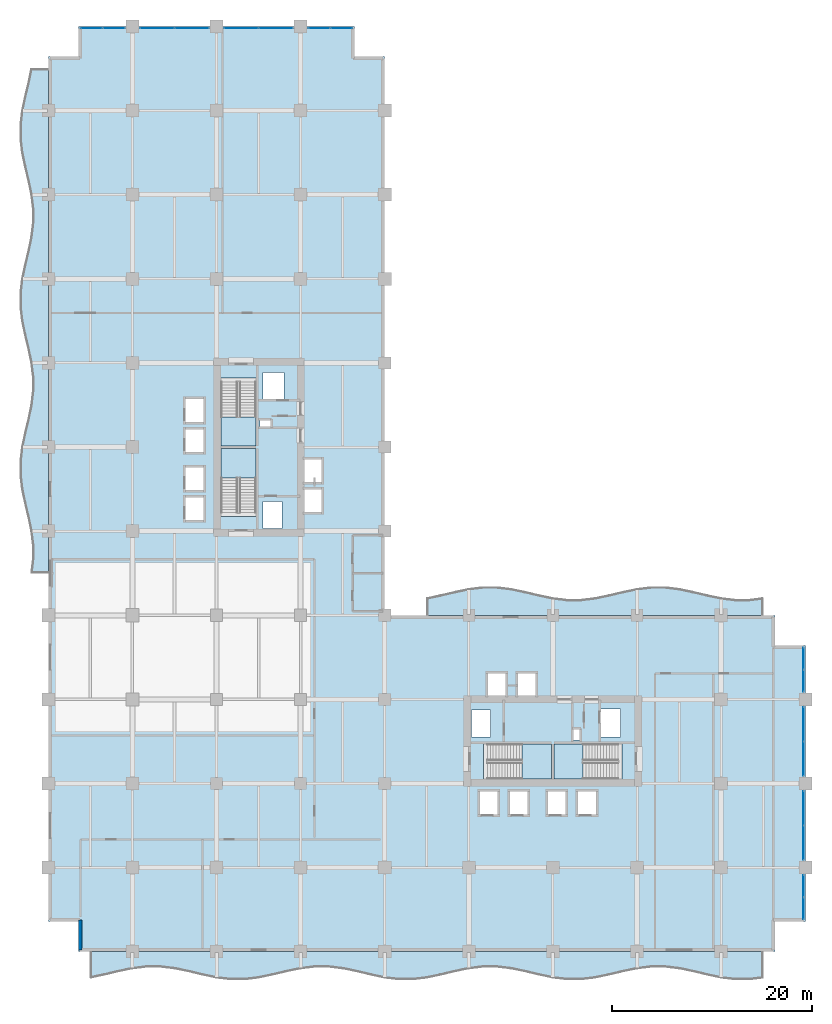
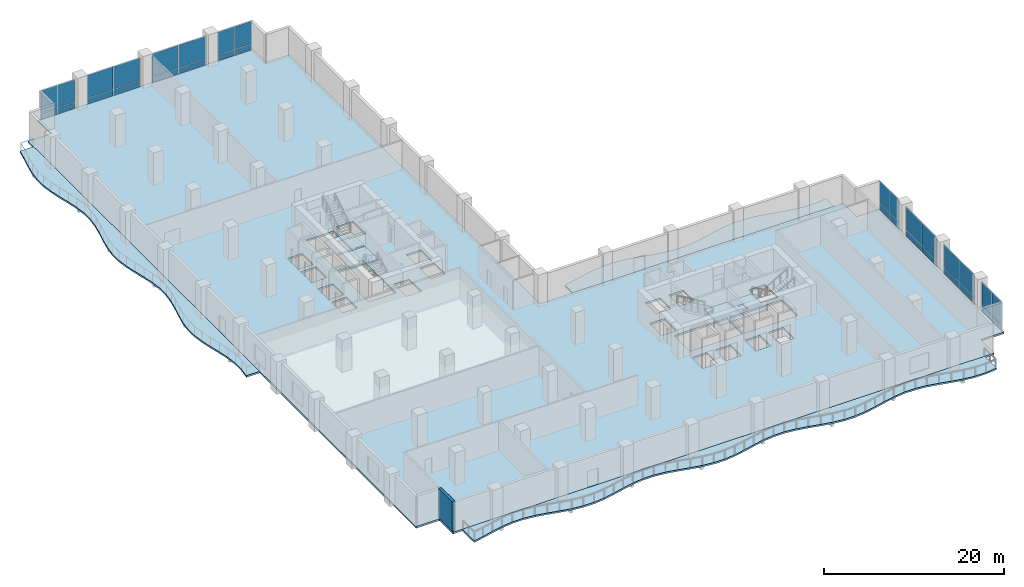
# One storey, part 11 of 24: 32 plates, 8 slabs, 1 wall, 12 elements without a shape of their own.
"""IFC4 building model written with IfcOpenShell, lengths in metres."""

from ifc_helpers import new_model, si_unit, direction, frame, frame_2d, origin, origin_2d, place, context, subcontext, project, spatial, polyline, rectangle, outline, extrude, material, layer, layer_set, type_object, element, aggregate, save


model = new_model("IFC4")

# Units and contexts
model_context = context("Model", 3, precision=1e-05, world=origin(), true_north=direction((0.0, 1.0)))
body_context = subcontext(model_context, "Body", "Model", "MODEL_VIEW")
ifc_project = project(units=[si_unit("LENGTHUNIT", "METRE"), si_unit("AREAUNIT", "SQUARE_METRE"), si_unit("VOLUMEUNIT", "CUBIC_METRE"), si_unit("PLANEANGLEUNIT", "RADIAN"), si_unit("MASSUNIT", "GRAM", prefix="KILO")], contexts=[model_context])

# Site, building, storey
site_placement = place(None, origin())
site = spatial("IfcSite", under=ifc_project, at=site_placement, CompositionType="ELEMENT")
building_placement = place(site_placement, origin())
building = spatial("IfcBuilding", under=site, at=building_placement, Name="Koriwani Terraces Tower", CompositionType="ELEMENT")
storey_placement = place(building_placement, frame((0.0, 0.0, 89.60009765625)))
storey = spatial("IfcBuildingStorey", under=building, at=storey_placement, Name="L21", CompositionType="ELEMENT", Elevation=89.60009765625)

# Curtain wall, plates
ifc_material_1 = material(Name="Anodised Bronze Aluminium", Category="aluminium")
ifc_layer_1 = layer(ifc_material_1, 0.179931640625, Name="Anodised Bronze Aluminium")
ifc_layer_set_1 = layer_set([ifc_layer_1], Name="Anodised Bronze Aluminium")
curtain_wall_type = type_object("IfcCurtainWallType", Name="CW_HOTEL_ZONE2", PredefinedType="NOTDEFINED", material=ifc_layer_set_1)
curtain_wall_1_placement = place(storey_placement, origin())
curtain_wall_1 = element("IfcCurtainWall", 1, at=curtain_wall_1_placement, inside=storey, type_object=curtain_wall_type, Name="L21 Unitised Curtain Wall (N_TIP) Bay 1", PredefinedType="NOTDEFINED")
ifc_material_2 = material(Name="Tempered Laminated Low-E Glass", Category="glass")
ifc_layer_2 = layer(ifc_material_2, 0.028076171875, Name="Tempered Laminated Low-E Glass")
ifc_layer_set_2 = layer_set([ifc_layer_2], Name="Tempered Laminated Low-E Glass")
plate_type = type_object("IfcPlateType", Name="CW_PANEL_VISION_28", PredefinedType="CURTAIN_PANEL", material=ifc_layer_set_2)
plate_1_placement = place(storey_placement, frame((4.322509765625, 92.22509765625, 0.06494140625), z_axis=(0.0, 0.0, 1.0), x_axis=(1.0, 0.0, 0.0)))
plate_1 = element("IfcPlate", 2, at=plate_1_placement, type_object=plate_type, Name="CW-Z2 panel 1.1", PredefinedType="CURTAIN_PANEL", context=body_context, shape_type="SweptSolid", body=[
    extrude(rectangle(XDim=2.14501953125, YDim=0.028076171875, at=origin_2d()), origin(), (0.0, 0.0, 1.0), 0.802490234375),
])
plate_2_placement = place(storey_placement, frame((4.322509765625, 92.22509765625, 0.9326171875), z_axis=(0.0, 0.0, 1.0), x_axis=(1.0, 0.0, 0.0)))
plate_2 = element("IfcPlate", 3, at=plate_2_placement, type_object=plate_type, Name="CW-Z2 panel 1.2", PredefinedType="CURTAIN_PANEL", context=body_context, shape_type="SweptSolid", body=[
    extrude(rectangle(XDim=2.14501953125, YDim=0.028076171875, at=origin_2d()), origin(), (0.0, 0.0, 1.0), 3.052490234375),
])
plate_3_placement = place(storey_placement, frame((6.54248046875, 92.22509765625, 0.06494140625), z_axis=(0.0, 0.0, 1.0), x_axis=(1.0, 0.0, 0.0)))
plate_3 = element("IfcPlate", 4, at=plate_3_placement, type_object=plate_type, Name="CW-Z2 panel 2.1", PredefinedType="CURTAIN_PANEL", context=body_context, shape_type="SweptSolid", body=[
    extrude(rectangle(XDim=2.14501953125, YDim=0.028076171875, at=origin_2d()), origin(), (0.0, 0.0, 1.0), 0.802490234375),
])
plate_4_placement = place(storey_placement, frame((6.54248046875, 92.22509765625, 0.9326171875), z_axis=(0.0, 0.0, 1.0), x_axis=(1.0, 0.0, 0.0)))
plate_4 = element("IfcPlate", 5, at=plate_4_placement, type_object=plate_type, Name="CW-Z2 panel 2.2", PredefinedType="CURTAIN_PANEL", context=body_context, shape_type="SweptSolid", body=[
    extrude(rectangle(XDim=2.14501953125, YDim=0.028076171875, at=origin_2d()), origin(), (0.0, 0.0, 1.0), 3.052490234375),
])
aggregate(curtain_wall_1, [plate_1, plate_2, plate_3, plate_4])

curtain_wall_2_placement = place(storey_placement, origin())
curtain_wall_2 = element("IfcCurtainWall", 6, at=curtain_wall_2_placement, inside=storey, type_object=curtain_wall_type, Name="L21 Unitised Curtain Wall (N_TIP) Bay 2", PredefinedType="NOTDEFINED")
plate_5_placement = place(storey_placement, frame((10.873779296875, 92.22509765625, 0.06494140625), z_axis=(0.0, 0.0, 1.0), x_axis=(1.0, 0.0, 0.0)))
plate_5 = element("IfcPlate", 7, at=plate_5_placement, type_object=plate_type, Name="CW-Z2 panel 1.1", PredefinedType="CURTAIN_PANEL", context=body_context, shape_type="SweptSolid", body=[
    extrude(rectangle(XDim=3.37744140625, YDim=0.028076171875, at=origin_2d()), origin(), (0.0, 0.0, 1.0), 0.802490234375),
])
plate_6_placement = place(storey_placement, frame((10.873779296875, 92.22509765625, 0.9326171875), z_axis=(0.0, 0.0, 1.0), x_axis=(1.0, 0.0, 0.0)))
plate_6 = element("IfcPlate", 8, at=plate_6_placement, type_object=plate_type, Name="CW-Z2 panel 1.2", PredefinedType="CURTAIN_PANEL", context=body_context, shape_type="SweptSolid", body=[
    extrude(rectangle(XDim=3.37744140625, YDim=0.028076171875, at=origin_2d()), origin(), (0.0, 0.0, 1.0), 3.052490234375),
])
plate_7_placement = place(storey_placement, frame((14.326171875, 92.22509765625, 0.06494140625), z_axis=(0.0, 0.0, 1.0), x_axis=(1.0, 0.0, 0.0)))
plate_7 = element("IfcPlate", 9, at=plate_7_placement, type_object=plate_type, Name="CW-Z2 panel 2.1", PredefinedType="CURTAIN_PANEL", context=body_context, shape_type="SweptSolid", body=[
    extrude(rectangle(XDim=3.37744140625, YDim=0.028076171875, at=origin_2d()), origin(), (0.0, 0.0, 1.0), 0.802490234375),
])
plate_8_placement = place(storey_placement, frame((14.326171875, 92.22509765625, 0.9326171875), z_axis=(0.0, 0.0, 1.0), x_axis=(1.0, 0.0, 0.0)))
plate_8 = element("IfcPlate", 10, at=plate_8_placement, type_object=plate_type, Name="CW-Z2 panel 2.2", PredefinedType="CURTAIN_PANEL", context=body_context, shape_type="SweptSolid", body=[
    extrude(rectangle(XDim=3.37744140625, YDim=0.028076171875, at=origin_2d()), origin(), (0.0, 0.0, 1.0), 3.052490234375),
])
aggregate(curtain_wall_2, [plate_5, plate_6, plate_7, plate_8])

curtain_wall_3_placement = place(storey_placement, origin())
curtain_wall_3 = element("IfcCurtainWall", 11, at=curtain_wall_3_placement, inside=storey, type_object=curtain_wall_type, Name="L21 Unitised Curtain Wall (N_TIP) Bay 3", PredefinedType="NOTDEFINED")
plate_9_placement = place(storey_placement, frame((19.273681640625, 92.22509765625, 0.06494140625), z_axis=(0.0, 0.0, 1.0), x_axis=(1.0, 0.0, 0.0)))
plate_9 = element("IfcPlate", 12, at=plate_9_placement, type_object=plate_type, Name="CW-Z2 panel 1.1", PredefinedType="CURTAIN_PANEL", context=body_context, shape_type="SweptSolid", body=[
    extrude(rectangle(XDim=3.37744140625, YDim=0.028076171875, at=origin_2d()), origin(), (0.0, 0.0, 1.0), 0.802490234375),
])
plate_10_placement = place(storey_placement, frame((19.273681640625, 92.22509765625, 0.9326171875), z_axis=(0.0, 0.0, 1.0), x_axis=(1.0, 0.0, 0.0)))
plate_10 = element("IfcPlate", 13, at=plate_10_placement, type_object=plate_type, Name="CW-Z2 panel 1.2", PredefinedType="CURTAIN_PANEL", context=body_context, shape_type="SweptSolid", body=[
    extrude(rectangle(XDim=3.37744140625, YDim=0.028076171875, at=origin_2d()), origin(), (0.0, 0.0, 1.0), 3.052490234375),
])
plate_11_placement = place(storey_placement, frame((22.726318359375, 92.22509765625, 0.06494140625), z_axis=(0.0, 0.0, 1.0), x_axis=(1.0, 0.0, 0.0)))
plate_11 = element("IfcPlate", 14, at=plate_11_placement, type_object=plate_type, Name="CW-Z2 panel 2.1", PredefinedType="CURTAIN_PANEL", context=body_context, shape_type="SweptSolid", body=[
    extrude(rectangle(XDim=3.37744140625, YDim=0.028076171875, at=origin_2d()), origin(), (0.0, 0.0, 1.0), 0.802490234375),
])
plate_12_placement = place(storey_placement, frame((22.726318359375, 92.22509765625, 0.9326171875), z_axis=(0.0, 0.0, 1.0), x_axis=(1.0, 0.0, 0.0)))
plate_12 = element("IfcPlate", 15, at=plate_12_placement, type_object=plate_type, Name="CW-Z2 panel 2.2", PredefinedType="CURTAIN_PANEL", context=body_context, shape_type="SweptSolid", body=[
    extrude(rectangle(XDim=3.37744140625, YDim=0.028076171875, at=origin_2d()), origin(), (0.0, 0.0, 1.0), 3.052490234375),
])
aggregate(curtain_wall_3, [plate_9, plate_10, plate_11, plate_12])

curtain_wall_4_placement = place(storey_placement, origin())
curtain_wall_4 = element("IfcCurtainWall", 16, at=curtain_wall_4_placement, inside=storey, type_object=curtain_wall_type, Name="L21 Unitised Curtain Wall (N_TIP) Bay 4", PredefinedType="NOTDEFINED")
plate_13_placement = place(storey_placement, frame((27.0576171875, 92.22509765625, 0.06494140625), z_axis=(0.0, 0.0, 1.0), x_axis=(1.0, 0.0, 0.0)))
plate_13 = element("IfcPlate", 17, at=plate_13_placement, type_object=plate_type, Name="CW-Z2 panel 1.1", PredefinedType="CURTAIN_PANEL", context=body_context, shape_type="SweptSolid", body=[
    extrude(rectangle(XDim=2.14501953125, YDim=0.028076171875, at=origin_2d()), origin(), (0.0, 0.0, 1.0), 0.802490234375),
])
plate_14_placement = place(storey_placement, frame((27.0576171875, 92.22509765625, 0.9326171875), z_axis=(0.0, 0.0, 1.0), x_axis=(1.0, 0.0, 0.0)))
plate_14 = element("IfcPlate", 18, at=plate_14_placement, type_object=plate_type, Name="CW-Z2 panel 1.2", PredefinedType="CURTAIN_PANEL", context=body_context, shape_type="SweptSolid", body=[
    extrude(rectangle(XDim=2.14501953125, YDim=0.028076171875, at=origin_2d()), origin(), (0.0, 0.0, 1.0), 3.052490234375),
])
plate_15_placement = place(storey_placement, frame((29.277587890625, 92.22509765625, 0.06494140625), z_axis=(0.0, 0.0, 1.0), x_axis=(1.0, 0.0, 0.0)))
plate_15 = element("IfcPlate", 19, at=plate_15_placement, type_object=plate_type, Name="CW-Z2 panel 2.1", PredefinedType="CURTAIN_PANEL", context=body_context, shape_type="SweptSolid", body=[
    extrude(rectangle(XDim=2.14501953125, YDim=0.028076171875, at=origin_2d()), origin(), (0.0, 0.0, 1.0), 0.802490234375),
])
plate_16_placement = place(storey_placement, frame((29.277587890625, 92.22509765625, 0.9326171875), z_axis=(0.0, 0.0, 1.0), x_axis=(1.0, 0.0, 0.0)))
plate_16 = element("IfcPlate", 20, at=plate_16_placement, type_object=plate_type, Name="CW-Z2 panel 2.2", PredefinedType="CURTAIN_PANEL", context=body_context, shape_type="SweptSolid", body=[
    extrude(rectangle(XDim=2.14501953125, YDim=0.028076171875, at=origin_2d()), origin(), (0.0, 0.0, 1.0), 3.052490234375),
])
aggregate(curtain_wall_4, [plate_13, plate_14, plate_15, plate_16])

curtain_wall_5_placement = place(storey_placement, origin())
curtain_wall_5 = element("IfcCurtainWall", 21, at=curtain_wall_5_placement, inside=storey, type_object=curtain_wall_type, Name="L21 Unitised Curtain Wall (E_TIP) Bay 1", PredefinedType="NOTDEFINED")
plate_17_placement = place(storey_placement, frame((75.425048828125, 29.277587890625, 0.06494140625), z_axis=(0.0, 0.0, 1.0), x_axis=(0.0, -1.0, 0.0)))
plate_17 = element("IfcPlate", 22, at=plate_17_placement, type_object=plate_type, Name="CW-Z2 panel 1.1", PredefinedType="CURTAIN_PANEL", context=body_context, shape_type="SweptSolid", body=[
    extrude(rectangle(XDim=2.14501953125, YDim=0.028076171875, at=origin_2d()), origin(), (0.0, 0.0, 1.0), 0.802490234375),
])
plate_18_placement = place(storey_placement, frame((75.425048828125, 29.277587890625, 0.9326171875), z_axis=(0.0, 0.0, 1.0), x_axis=(0.0, -1.0, 0.0)))
plate_18 = element("IfcPlate", 23, at=plate_18_placement, type_object=plate_type, Name="CW-Z2 panel 1.2", PredefinedType="CURTAIN_PANEL", context=body_context, shape_type="SweptSolid", body=[
    extrude(rectangle(XDim=2.14501953125, YDim=0.028076171875, at=origin_2d()), origin(), (0.0, 0.0, 1.0), 3.052490234375),
])
plate_19_placement = place(storey_placement, frame((75.425048828125, 27.0576171875, 0.06494140625), z_axis=(0.0, 0.0, 1.0), x_axis=(0.0, -1.0, 0.0)))
plate_19 = element("IfcPlate", 24, at=plate_19_placement, type_object=plate_type, Name="CW-Z2 panel 2.1", PredefinedType="CURTAIN_PANEL", context=body_context, shape_type="SweptSolid", body=[
    extrude(rectangle(XDim=2.14501953125, YDim=0.028076171875, at=origin_2d()), origin(), (0.0, 0.0, 1.0), 0.802490234375),
])
plate_20_placement = place(storey_placement, frame((75.425048828125, 27.0576171875, 0.9326171875), z_axis=(0.0, 0.0, 1.0), x_axis=(0.0, -1.0, 0.0)))
plate_20 = element("IfcPlate", 25, at=plate_20_placement, type_object=plate_type, Name="CW-Z2 panel 2.2", PredefinedType="CURTAIN_PANEL", context=body_context, shape_type="SweptSolid", body=[
    extrude(rectangle(XDim=2.14501953125, YDim=0.028076171875, at=origin_2d()), origin(), (0.0, 0.0, 1.0), 3.052490234375),
])
aggregate(curtain_wall_5, [plate_17, plate_18, plate_19, plate_20])

curtain_wall_6_placement = place(storey_placement, origin())
curtain_wall_6 = element("IfcCurtainWall", 26, at=curtain_wall_6_placement, inside=storey, type_object=curtain_wall_type, Name="L21 Unitised Curtain Wall (E_TIP) Bay 2", PredefinedType="NOTDEFINED")
plate_21_placement = place(storey_placement, frame((75.425048828125, 22.726318359375, 0.06494140625), z_axis=(0.0, 0.0, 1.0), x_axis=(0.0, -1.0, 0.0)))
plate_21 = element("IfcPlate", 27, at=plate_21_placement, type_object=plate_type, Name="CW-Z2 panel 1.1", PredefinedType="CURTAIN_PANEL", context=body_context, shape_type="SweptSolid", body=[
    extrude(rectangle(XDim=3.37744140625, YDim=0.028076171875, at=origin_2d()), origin(), (0.0, 0.0, 1.0), 0.802490234375),
])
plate_22_placement = place(storey_placement, frame((75.425048828125, 22.726318359375, 0.9326171875), z_axis=(0.0, 0.0, 1.0), x_axis=(0.0, -1.0, 0.0)))
plate_22 = element("IfcPlate", 28, at=plate_22_placement, type_object=plate_type, Name="CW-Z2 panel 1.2", PredefinedType="CURTAIN_PANEL", context=body_context, shape_type="SweptSolid", body=[
    extrude(rectangle(XDim=3.37744140625, YDim=0.028076171875, at=origin_2d()), origin(), (0.0, 0.0, 1.0), 3.052490234375),
])
plate_23_placement = place(storey_placement, frame((75.425048828125, 19.273681640625, 0.06494140625), z_axis=(0.0, 0.0, 1.0), x_axis=(0.0, -1.0, 0.0)))
plate_23 = element("IfcPlate", 29, at=plate_23_placement, type_object=plate_type, Name="CW-Z2 panel 2.1", PredefinedType="CURTAIN_PANEL", context=body_context, shape_type="SweptSolid", body=[
    extrude(rectangle(XDim=3.37744140625, YDim=0.028076171875, at=origin_2d()), origin(), (0.0, 0.0, 1.0), 0.802490234375),
])
plate_24_placement = place(storey_placement, frame((75.425048828125, 19.273681640625, 0.9326171875), z_axis=(0.0, 0.0, 1.0), x_axis=(0.0, -1.0, 0.0)))
plate_24 = element("IfcPlate", 30, at=plate_24_placement, type_object=plate_type, Name="CW-Z2 panel 2.2", PredefinedType="CURTAIN_PANEL", context=body_context, shape_type="SweptSolid", body=[
    extrude(rectangle(XDim=3.37744140625, YDim=0.028076171875, at=origin_2d()), origin(), (0.0, 0.0, 1.0), 3.052490234375),
])
aggregate(curtain_wall_6, [plate_21, plate_22, plate_23, plate_24])

curtain_wall_7_placement = place(storey_placement, origin())
curtain_wall_7 = element("IfcCurtainWall", 31, at=curtain_wall_7_placement, inside=storey, type_object=curtain_wall_type, Name="L21 Unitised Curtain Wall (E_TIP) Bay 3", PredefinedType="NOTDEFINED")
plate_25_placement = place(storey_placement, frame((75.425048828125, 14.326171875, 0.06494140625), z_axis=(0.0, 0.0, 1.0), x_axis=(0.0, -1.0, 0.0)))
plate_25 = element("IfcPlate", 32, at=plate_25_placement, type_object=plate_type, Name="CW-Z2 panel 1.1", PredefinedType="CURTAIN_PANEL", context=body_context, shape_type="SweptSolid", body=[
    extrude(rectangle(XDim=3.37744140625, YDim=0.028076171875, at=origin_2d()), origin(), (0.0, 0.0, 1.0), 0.802490234375),
])
plate_26_placement = place(storey_placement, frame((75.425048828125, 14.326171875, 0.9326171875), z_axis=(0.0, 0.0, 1.0), x_axis=(0.0, -1.0, 0.0)))
plate_26 = element("IfcPlate", 33, at=plate_26_placement, type_object=plate_type, Name="CW-Z2 panel 1.2", PredefinedType="CURTAIN_PANEL", context=body_context, shape_type="SweptSolid", body=[
    extrude(rectangle(XDim=3.37744140625, YDim=0.028076171875, at=origin_2d()), origin(), (0.0, 0.0, 1.0), 3.052490234375),
])
plate_27_placement = place(storey_placement, frame((75.425048828125, 10.873779296875, 0.06494140625), z_axis=(0.0, 0.0, 1.0), x_axis=(0.0, -1.0, 0.0)))
plate_27 = element("IfcPlate", 34, at=plate_27_placement, type_object=plate_type, Name="CW-Z2 panel 2.1", PredefinedType="CURTAIN_PANEL", context=body_context, shape_type="SweptSolid", body=[
    extrude(rectangle(XDim=3.37744140625, YDim=0.028076171875, at=origin_2d()), origin(), (0.0, 0.0, 1.0), 0.802490234375),
])
plate_28_placement = place(storey_placement, frame((75.425048828125, 10.873779296875, 0.9326171875), z_axis=(0.0, 0.0, 1.0), x_axis=(0.0, -1.0, 0.0)))
plate_28 = element("IfcPlate", 35, at=plate_28_placement, type_object=plate_type, Name="CW-Z2 panel 2.2", PredefinedType="CURTAIN_PANEL", context=body_context, shape_type="SweptSolid", body=[
    extrude(rectangle(XDim=3.37744140625, YDim=0.028076171875, at=origin_2d()), origin(), (0.0, 0.0, 1.0), 3.052490234375),
])
aggregate(curtain_wall_7, [plate_25, plate_26, plate_27, plate_28])

curtain_wall_8_placement = place(storey_placement, origin())
curtain_wall_8 = element("IfcCurtainWall", 36, at=curtain_wall_8_placement, inside=storey, type_object=curtain_wall_type, Name="L21 Unitised Curtain Wall (E_TIP) Bay 4", PredefinedType="NOTDEFINED")
plate_29_placement = place(storey_placement, frame((75.425048828125, 6.54248046875, 0.06494140625), z_axis=(0.0, 0.0, 1.0), x_axis=(0.0, -1.0, 0.0)))
plate_29 = element("IfcPlate", 37, at=plate_29_placement, type_object=plate_type, Name="CW-Z2 panel 1.1", PredefinedType="CURTAIN_PANEL", context=body_context, shape_type="SweptSolid", body=[
    extrude(rectangle(XDim=2.14501953125, YDim=0.028076171875, at=origin_2d()), origin(), (0.0, 0.0, 1.0), 0.802490234375),
])
plate_30_placement = place(storey_placement, frame((75.425048828125, 6.54248046875, 0.9326171875), z_axis=(0.0, 0.0, 1.0), x_axis=(0.0, -1.0, 0.0)))
plate_30 = element("IfcPlate", 38, at=plate_30_placement, type_object=plate_type, Name="CW-Z2 panel 1.2", PredefinedType="CURTAIN_PANEL", context=body_context, shape_type="SweptSolid", body=[
    extrude(rectangle(XDim=2.14501953125, YDim=0.028076171875, at=origin_2d()), origin(), (0.0, 0.0, 1.0), 3.052490234375),
])
plate_31_placement = place(storey_placement, frame((75.425048828125, 4.322509765625, 0.06494140625), z_axis=(0.0, 0.0, 1.0), x_axis=(0.0, -1.0, 0.0)))
plate_31 = element("IfcPlate", 39, at=plate_31_placement, type_object=plate_type, Name="CW-Z2 panel 2.1", PredefinedType="CURTAIN_PANEL", context=body_context, shape_type="SweptSolid", body=[
    extrude(rectangle(XDim=2.14501953125, YDim=0.028076171875, at=origin_2d()), origin(), (0.0, 0.0, 1.0), 0.802490234375),
])
plate_32_placement = place(storey_placement, frame((75.425048828125, 4.322509765625, 0.9326171875), z_axis=(0.0, 0.0, 1.0), x_axis=(0.0, -1.0, 0.0)))
plate_32 = element("IfcPlate", 40, at=plate_32_placement, type_object=plate_type, Name="CW-Z2 panel 2.2", PredefinedType="CURTAIN_PANEL", context=body_context, shape_type="SweptSolid", body=[
    extrude(rectangle(XDim=2.14501953125, YDim=0.028076171875, at=origin_2d()), origin(), (0.0, 0.0, 1.0), 3.052490234375),
])
aggregate(curtain_wall_8, [plate_29, plate_30, plate_31, plate_32])

# Slabs
ifc_material_3 = material(Name="Concrete C40/50", Category="concrete")
ifc_layer_3 = layer(ifc_material_3, 0.219970703125, Name="Concrete C40/50")
ifc_layer_set_3 = layer_set([ifc_layer_3], Name="Concrete C40/50")
slab_type_1 = type_object("IfcSlabType", Name="SLAB_BALCONY_220", PredefinedType="FLOOR", material=ifc_layer_set_3)
slab_1_placement = place(storey_placement, frame((0.0, 0.0, -0.22021484375)))
element("IfcSlab", 41, at=slab_1_placement, inside=storey, type_object=slab_type_1, Name="L21 Quilted Circular-Arc Balcony (S)", PredefinedType="FLOOR", context=body_context, shape_type="SweptSolid", body=[
    extrude(outline(polyline([(4.199951171875, 0.0), (5.60009765625, 0.0), (7.0, 0.0), (8.39990234375, 0.0), (9.800048828125, 0.0), (11.199951171875, 0.0), (12.60009765625, 0.0), (14.0, 0.0), (15.39990234375, 0.0), (16.800048828125, 0.0), (18.199951171875, 0.0), (19.60009765625, 0.0), (21.0, 0.0), (22.39990234375, 0.0), (23.800048828125, 0.0), (25.199951171875, 0.0), (26.60009765625, 0.0), (28.0, 0.0), (29.39990234375, 0.0), (30.800048828125, 0.0), (32.199951171875, 0.0), (33.60009765625, 0.0), (35.0, 0.0), (36.39990234375, 0.0), (37.800048828125, 0.0), (39.199951171875, 0.0), (40.60009765625, 0.0), (42.0, 0.0), (43.39990234375, 0.0), (44.800048828125, 0.0), (46.199951171875, 0.0), (47.60009765625, 0.0), (49.0, 0.0), (50.39990234375, 0.0), (51.800048828125, 0.0), (53.199951171875, 0.0), (54.60009765625, 0.0), (56.0, 0.0), (57.39990234375, 0.0), (58.800048828125, 0.0), (60.199951171875, 0.0), (61.60009765625, 0.0), (63.0, 0.0), (64.39990234375, 0.0), (65.800048828125, 0.0), (67.199951171875, 0.0), (68.60009765625, 0.0), (70.0, 0.0), (71.39990234375, 0.0), (71.39990234375, -2.65966796875), (70.0, -2.827880859375), (68.60009765625, -2.827880859375), (67.199951171875, -2.65966796875), (65.800048828125, -2.3681640625), (64.39990234375, -2.03173828125), (63.0, -1.740478515625), (61.60009765625, -1.572021484375), (60.199951171875, -1.572021484375), (58.800048828125, -1.740478515625), (57.39990234375, -2.03173828125), (56.0, -2.3681640625), (54.60009765625, -2.65966796875), (53.199951171875, -2.827880859375), (51.800048828125, -2.827880859375), (50.39990234375, -2.65966796875), (49.0, -2.3681640625), (47.60009765625, -2.03173828125), (46.199951171875, -1.740478515625), (44.800048828125, -1.572021484375), (43.39990234375, -1.572021484375), (42.0, -1.740478515625), (40.60009765625, -2.03173828125), (39.199951171875, -2.3681640625), (37.800048828125, -2.65966796875), (36.39990234375, -2.827880859375), (35.0, -2.827880859375), (33.60009765625, -2.65966796875), (32.199951171875, -2.3681640625), (30.800048828125, -2.03173828125), (29.39990234375, -1.740478515625), (28.0, -1.572021484375), (26.60009765625, -1.572021484375), (25.199951171875, -1.740478515625), (23.800048828125, -2.03173828125), (22.39990234375, -2.3681640625), (21.0, -2.65966796875), (19.60009765625, -2.827880859375), (18.199951171875, -2.827880859375), (16.800048828125, -2.65966796875), (15.39990234375, -2.3681640625), (14.0, -2.03173828125), (12.60009765625, -1.740478515625), (11.199951171875, -1.572021484375), (9.800048828125, -1.572021484375), (8.39990234375, -1.740478515625), (7.0, -2.03173828125), (5.60009765625, -2.3681640625), (4.199951171875, -2.65966796875), (4.199951171875, 0.0)])), origin(), (0.0, 0.0, 1.0), 0.22021484375),
])
slab_2_placement = place(storey_placement, frame((0.0, 0.0, -0.22021484375)))
element("IfcSlab", 42, at=slab_2_placement, inside=storey, type_object=slab_type_1, Name="L21 Quilted Circular-Arc Balcony (W)", PredefinedType="FLOOR", context=body_context, shape_type="SweptSolid", body=[
    extrude(outline(polyline([(0.0, 37.800048828125), (0.0, 39.199951171875), (0.0, 40.60009765625), (0.0, 42.0), (0.0, 43.39990234375), (0.0, 44.800048828125), (0.0, 46.199951171875), (0.0, 47.60009765625), (0.0, 49.0), (0.0, 50.39990234375), (0.0, 51.800048828125), (0.0, 53.199951171875), (0.0, 54.60009765625), (0.0, 56.0), (0.0, 57.39990234375), (0.0, 58.800048828125), (0.0, 60.199951171875), (0.0, 61.60009765625), (0.0, 63.0), (0.0, 64.39990234375), (0.0, 65.800048828125), (0.0, 67.199951171875), (0.0, 68.60009765625), (0.0, 70.0), (0.0, 71.39990234375), (0.0, 72.800048828125), (0.0, 74.199951171875), (0.0, 75.60009765625), (0.0, 77.0), (0.0, 78.39990234375), (0.0, 79.800048828125), (0.0, 81.199951171875), (0.0, 82.60009765625), (0.0, 84.0), (0.0, 85.39990234375), (0.0, 86.800048828125), (0.0, 88.199951171875), (-1.740478515625, 88.199951171875), (-2.03173828125, 86.800048828125), (-2.3681640625, 85.39990234375), (-2.65966796875, 84.0), (-2.827880859375, 82.60009765625), (-2.827880859375, 81.199951171875), (-2.65966796875, 79.800048828125), (-2.3681640625, 78.39990234375), (-2.03173828125, 77.0), (-1.740478515625, 75.60009765625), (-1.572021484375, 74.199951171875), (-1.572021484375, 72.800048828125), (-1.740478515625, 71.39990234375), (-2.03173828125, 70.0), (-2.3681640625, 68.60009765625), (-2.65966796875, 67.199951171875), (-2.827880859375, 65.800048828125), (-2.827880859375, 64.39990234375), (-2.65966796875, 63.0), (-2.3681640625, 61.60009765625), (-2.03173828125, 60.199951171875), (-1.740478515625, 58.800048828125), (-1.572021484375, 57.39990234375), (-1.572021484375, 56.0), (-1.740478515625, 54.60009765625), (-2.03173828125, 53.199951171875), (-2.3681640625, 51.800048828125), (-2.65966796875, 50.39990234375), (-2.827880859375, 49.0), (-2.827880859375, 47.60009765625), (-2.65966796875, 46.199951171875), (-2.3681640625, 44.800048828125), (-2.03173828125, 43.39990234375), (-1.740478515625, 42.0), (-1.572021484375, 40.60009765625), (-1.572021484375, 39.199951171875), (-1.740478515625, 37.800048828125), (0.0, 37.800048828125)])), origin(), (0.0, 0.0, 1.0), 0.22021484375),
])
slab_3_placement = place(storey_placement, frame((0.0, 0.0, -0.22021484375)))
element("IfcSlab", 43, at=slab_3_placement, inside=storey, type_object=slab_type_1, Name="L21 Quilted Circular-Arc Balcony (NE)", PredefinedType="FLOOR", context=body_context, shape_type="SweptSolid", body=[
    extrude(outline(polyline([(71.39990234375, 33.60009765625), (70.0, 33.60009765625), (68.60009765625, 33.60009765625), (67.199951171875, 33.60009765625), (65.800048828125, 33.60009765625), (64.39990234375, 33.60009765625), (63.0, 33.60009765625), (61.60009765625, 33.60009765625), (60.199951171875, 33.60009765625), (58.800048828125, 33.60009765625), (57.39990234375, 33.60009765625), (56.0, 33.60009765625), (54.60009765625, 33.60009765625), (53.199951171875, 33.60009765625), (51.800048828125, 33.60009765625), (50.39990234375, 33.60009765625), (49.0, 33.60009765625), (47.60009765625, 33.60009765625), (46.199951171875, 33.60009765625), (44.800048828125, 33.60009765625), (43.39990234375, 33.60009765625), (42.0, 33.60009765625), (40.60009765625, 33.60009765625), (39.199951171875, 33.60009765625), (37.800048828125, 33.60009765625), (37.800048828125, 35.34033203125), (39.199951171875, 35.6318359375), (40.60009765625, 35.96826171875), (42.0, 36.259521484375), (43.39990234375, 36.427978515625), (44.800048828125, 36.427978515625), (46.199951171875, 36.259521484375), (47.60009765625, 35.96826171875), (49.0, 35.6318359375), (50.39990234375, 35.34033203125), (51.800048828125, 35.172119140625), (53.199951171875, 35.172119140625), (54.60009765625, 35.34033203125), (56.0, 35.6318359375), (57.39990234375, 35.96826171875), (58.800048828125, 36.259521484375), (60.199951171875, 36.427978515625), (61.60009765625, 36.427978515625), (63.0, 36.259521484375), (64.39990234375, 35.96826171875), (65.800048828125, 35.6318359375), (67.199951171875, 35.34033203125), (68.60009765625, 35.172119140625), (70.0, 35.172119140625), (71.39990234375, 35.34033203125), (71.39990234375, 33.60009765625)])), origin(), (0.0, 0.0, 1.0), 0.22021484375),
])

# Stair, slab
stair_type = type_object("IfcStairType", Name="STAIR_CORE_DOGLEG_1650", PredefinedType="TWO_STRAIGHT_RUN_STAIR", material=ifc_material_3)
stair_1_placement = place(storey_placement, origin())
stair_1 = element("IfcStair", 44, at=stair_1_placement, inside=storey, type_object=stair_type, Name="L21 West Core Exit Stair 1", PredefinedType="HALF_TURN_STAIR")
ifc_layer_4 = layer(ifc_material_3, 0.199951171875, Name="Concrete C40/50")
ifc_layer_set_4 = layer_set([ifc_layer_4], Name="Concrete C40/50")
slab_type_2 = type_object("IfcSlabType", Name="SLAB_STAIR_LANDING_200", PredefinedType="LANDING", material=ifc_layer_set_4)
slab_4_placement = place(storey_placement, frame((0.0, 0.0, 2.0)))
slab_4 = element("IfcSlab", 45, at=slab_4_placement, type_object=slab_type_2, Name="ST-W1 landing 1", PredefinedType="LANDING", context=body_context, shape_type="SweptSolid", body=[
    extrude(outline(polyline([(20.75, 47.330078125), (20.75, 50.25), (17.25, 50.25), (17.25, 47.330078125), (20.75, 47.330078125)])), origin(), (0.0, 0.0, 1.0), 0.199951171875),
])
aggregate(stair_1, [slab_4])

stair_2_placement = place(storey_placement, origin())
stair_2 = element("IfcStair", 46, at=stair_2_placement, inside=storey, type_object=stair_type, Name="L21 West Core Exit Stair 2", PredefinedType="HALF_TURN_STAIR")
slab_5_placement = place(storey_placement, frame((0.0, 0.0, 2.0)))
slab_5 = element("IfcSlab", 47, at=slab_5_placement, type_object=slab_type_2, Name="ST-W2 landing 1", PredefinedType="LANDING", context=body_context, shape_type="SweptSolid", body=[
    extrude(outline(polyline([(17.25, 53.419921875), (17.25, 50.5), (20.75, 50.5), (20.75, 53.419921875), (17.25, 53.419921875)])), origin(), (0.0, 0.0, 1.0), 0.199951171875),
])
aggregate(stair_2, [slab_5])

stair_3_placement = place(storey_placement, origin())
stair_3 = element("IfcStair", 48, at=stair_3_placement, inside=storey, type_object=stair_type, Name="L21 East Core Exit Stair 1", PredefinedType="HALF_TURN_STAIR")
slab_6_placement = place(storey_placement, frame((0.0, 0.0, 2.0)))
slab_6 = element("IfcSlab", 49, at=slab_6_placement, type_object=slab_type_2, Name="ST-E1 landing 1", PredefinedType="LANDING", context=body_context, shape_type="SweptSolid", body=[
    extrude(outline(polyline([(47.330078125, 17.25), (50.25, 17.25), (50.25, 20.75), (47.330078125, 20.75), (47.330078125, 17.25)])), origin(), (0.0, 0.0, 1.0), 0.199951171875),
])
aggregate(stair_3, [slab_6])

stair_4_placement = place(storey_placement, origin())
stair_4 = element("IfcStair", 50, at=stair_4_placement, inside=storey, type_object=stair_type, Name="L21 East Core Exit Stair 2", PredefinedType="HALF_TURN_STAIR")
slab_7_placement = place(storey_placement, frame((0.0, 0.0, 2.0)))
slab_7 = element("IfcSlab", 51, at=slab_7_placement, type_object=slab_type_2, Name="ST-E2 landing 1", PredefinedType="LANDING", context=body_context, shape_type="SweptSolid", body=[
    extrude(outline(polyline([(53.419921875, 20.75), (50.5, 20.75), (50.5, 17.25), (53.419921875, 17.25), (53.419921875, 20.75)])), origin(), (0.0, 0.0, 1.0), 0.199951171875),
])
aggregate(stair_4, [slab_7])

# Slab
ifc_layer_5 = layer(ifc_material_3, 0.25, Name="Concrete C40/50")
ifc_layer_set_5 = layer_set([ifc_layer_5], Name="Concrete C40/50")
slab_type_3 = type_object("IfcSlabType", Name="SLAB_TOWER_TYP_250", PredefinedType="FLOOR", material=ifc_layer_set_5)
slab_8_placement = place(storey_placement, frame((0.0, 0.0, -0.25)))
element("IfcSlab", 52, at=slab_8_placement, inside=storey, type_object=slab_type_3, Name="L21 Structural Floor Slab", PredefinedType="FLOOR", context=body_context, shape_type="SweptSolid", body=[
    extrude(outline(polyline([(3.0, 0.0), (72.60009765625, 0.0), (72.60009765625, 3.0), (75.60009765625, 3.0), (75.60009765625, 30.60009765625), (72.60009765625, 30.60009765625), (72.60009765625, 33.60009765625), (33.60009765625, 33.60009765625), (33.60009765625, 89.39990234375), (30.60009765625, 89.39990234375), (30.60009765625, 92.39990234375), (3.0, 92.39990234375), (3.0, 89.39990234375), (0.0, 89.39990234375), (0.0, 3.0), (3.0, 3.0), (3.0, 0.0)]), holes=[polyline([(17.25, 43.4599609375), (20.75, 43.4599609375), (20.75, 50.25), (17.25, 50.25), (17.25, 43.4599609375)]), polyline([(17.25, 50.5), (20.75, 50.5), (20.75, 57.2900390625), (17.25, 57.2900390625), (17.25, 50.5)]), polyline([(43.4599609375, 17.25), (50.25, 17.25), (50.25, 20.75), (43.4599609375, 20.75), (43.4599609375, 17.25)]), polyline([(50.5, 17.25), (57.2900390625, 17.25), (57.2900390625, 20.75), (50.5, 20.75), (50.5, 17.25)]), polyline([(13.64990234375, 43.050048828125), (15.550048828125, 43.050048828125), (15.550048828125, 45.449951171875), (13.64990234375, 45.449951171875), (13.64990234375, 43.050048828125)]), polyline([(13.64990234375, 46.050048828125), (15.550048828125, 46.050048828125), (15.550048828125, 48.449951171875), (13.64990234375, 48.449951171875), (13.64990234375, 46.050048828125)]), polyline([(43.050048828125, 13.64990234375), (44.949951171875, 13.64990234375), (44.949951171875, 16.050048828125), (43.050048828125, 16.050048828125), (43.050048828125, 13.64990234375)]), polyline([(46.050048828125, 13.64990234375), (47.949951171875, 13.64990234375), (47.949951171875, 16.050048828125), (46.050048828125, 16.050048828125), (46.050048828125, 13.64990234375)]), polyline([(13.64990234375, 49.85009765625), (15.550048828125, 49.85009765625), (15.550048828125, 52.25), (13.64990234375, 52.25), (13.64990234375, 49.85009765625)]), polyline([(13.64990234375, 52.85009765625), (15.550048828125, 52.85009765625), (15.550048828125, 55.25), (13.64990234375, 55.25), (13.64990234375, 52.85009765625)]), polyline([(49.85009765625, 13.64990234375), (51.75, 13.64990234375), (51.75, 16.050048828125), (49.85009765625, 16.050048828125), (49.85009765625, 13.64990234375)]), polyline([(52.85009765625, 13.64990234375), (54.75, 13.64990234375), (54.75, 16.050048828125), (52.85009765625, 16.050048828125), (52.85009765625, 13.64990234375)]), polyline([(25.449951171875, 43.85009765625), (27.35009765625, 43.85009765625), (27.35009765625, 46.25), (25.449951171875, 46.25), (25.449951171875, 43.85009765625)]), polyline([(25.449951171875, 46.85009765625), (27.35009765625, 46.85009765625), (27.35009765625, 49.25), (25.449951171875, 49.25), (25.449951171875, 46.85009765625)]), polyline([(43.85009765625, 25.449951171875), (45.75, 25.449951171875), (45.75, 27.85009765625), (43.85009765625, 27.85009765625), (43.85009765625, 25.449951171875)]), polyline([(46.85009765625, 25.449951171875), (48.75, 25.449951171875), (48.75, 27.85009765625), (46.85009765625, 27.85009765625), (46.85009765625, 25.449951171875)]), polyline([(21.449951171875, 55.050048828125), (23.550048828125, 55.050048828125), (23.550048828125, 57.85009765625), (21.449951171875, 57.85009765625), (21.449951171875, 55.050048828125)]), polyline([(55.050048828125, 21.449951171875), (57.14990234375, 21.449951171875), (57.14990234375, 24.25), (55.050048828125, 24.25), (55.050048828125, 21.449951171875)]), polyline([(21.449951171875, 42.25), (23.35009765625, 42.25), (23.35009765625, 44.949951171875), (21.449951171875, 44.949951171875), (21.449951171875, 42.25)]), polyline([(42.25, 21.449951171875), (44.14990234375, 21.449951171875), (44.14990234375, 24.14990234375), (42.25, 24.14990234375), (42.25, 21.449951171875)]), polyline([(21.14990234375, 52.419921875), (22.219970703125, 52.419921875), (22.219970703125, 53.179931640625), (21.14990234375, 53.179931640625), (21.14990234375, 52.419921875)]), polyline([(52.419921875, 21.14990234375), (53.179931640625, 21.14990234375), (53.179931640625, 22.219970703125), (52.419921875, 22.219970703125), (52.419921875, 21.14990234375)])]), origin(), (0.0, 0.0, 1.0), 0.25),
])

# Wall
ifc_material_4 = material(Name="Concrete C50/60", Category="concrete")
ifc_layer_6 = layer(ifc_material_4, 0.35009765625, Name="Concrete C50/60")
ifc_layer_set_6 = layer_set([ifc_layer_6], Name="Concrete C50/60")
wall_type = type_object("IfcWallType", Name="WALL_EXT_BRUTALIST_350", PredefinedType="STANDARD", material=ifc_layer_set_6)
wall_placement = place(storey_placement, frame((3.175048828125, 0.175048828125, 0.0), z_axis=(0.0, 0.0, 1.0), x_axis=(0.0, 1.0, 0.0)))
element("IfcWall", 53, at=wall_placement, inside=storey, type_object=wall_type, Name="L21 Fair-Faced Brutalist Exterior Wall (N0)", PredefinedType="STANDARD", context=body_context, shape_type="SweptSolid", body=[
    extrude(rectangle(XDim=3.0, YDim=0.35009765625, at=frame_2d((1.5, 0.0))), origin(), (0.0, 0.0, 1.0), 4.0498046875),
])

save(model, "model.ifc")
